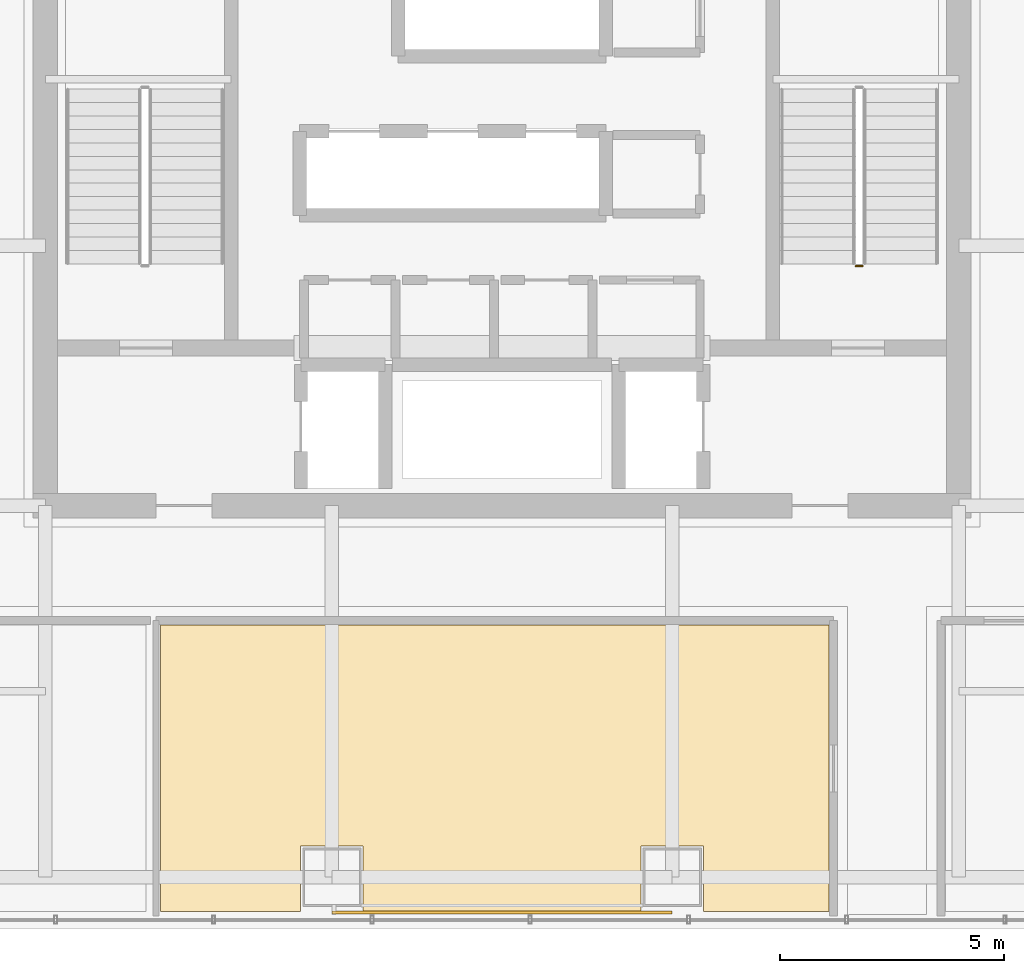
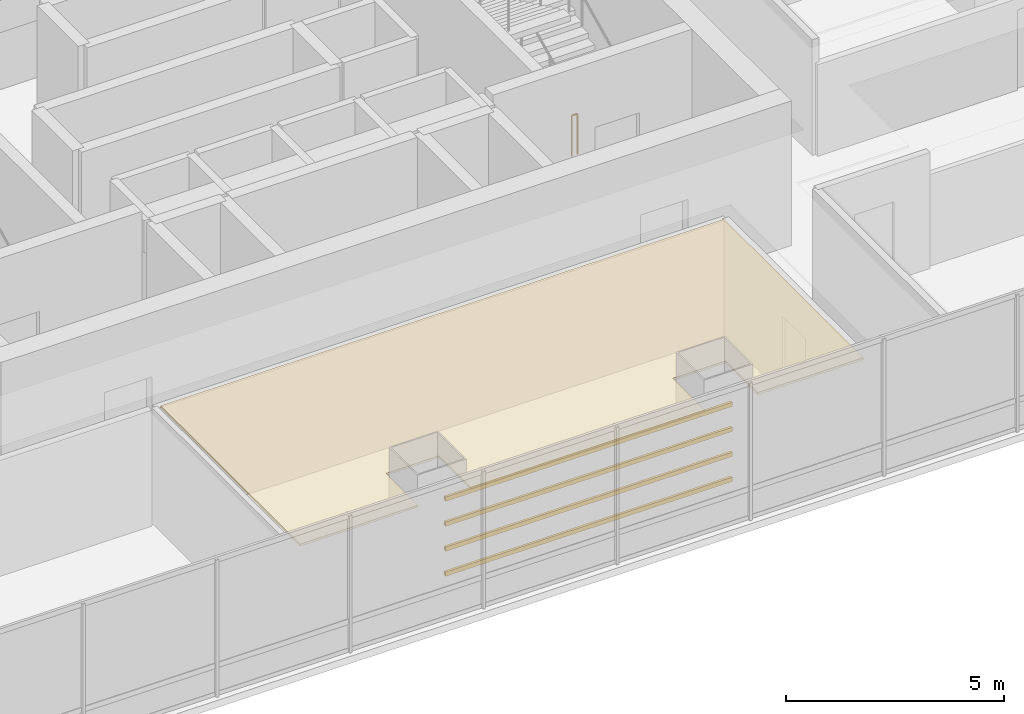
# One storey, part 38 of 42: 4 shading devices, 1 covering, 1 railing.
"""IFC4 building model written with IfcOpenShell, lengths in metres."""

from ifc_helpers import new_model, si_unit, direction, frame, origin, origin_2d, place, context, subcontext, project, spatial, polyline, hollow_rectangle, circle, outline, extrude, material, layer, layer_set, material_profile, profile_set, type_object, element, save


model = new_model("IFC4")

# Units and contexts
model_context = context("Model", 3, precision=1e-05, world=origin(), true_north=direction((0.0, 1.0)))
body_context = subcontext(model_context, "Body", "Model", "MODEL_VIEW")
ifc_project = project(units=[si_unit("LENGTHUNIT", "METRE"), si_unit("AREAUNIT", "SQUARE_METRE"), si_unit("VOLUMEUNIT", "CUBIC_METRE"), si_unit("PLANEANGLEUNIT", "RADIAN"), si_unit("MASSUNIT", "GRAM", prefix="KILO")], contexts=[model_context])

# Site, building, storey
site_placement = place(None, origin())
site = spatial("IfcSite", under=ifc_project, at=site_placement, CompositionType="ELEMENT")
building_placement = place(site_placement, origin())
building = spatial("IfcBuilding", under=site, at=building_placement, Name="Punatoya Terracotta Tower", CompositionType="ELEMENT")
storey_placement = place(building_placement, frame((0.0, 0.0, 259.5)))
storey = spatial("IfcBuildingStorey", under=building, at=storey_placement, Name="L61", CompositionType="ELEMENT", Elevation=259.5)

# Covering
ifc_material_1 = material(Name="Acoustic Mineral Fibre Ceiling")
ifc_layer = layer(ifc_material_1, 0.06005859375)
ifc_layer_set = layer_set([ifc_layer], Name="Acoustic Mineral Fibre Ceiling")
covering_type = type_object("IfcCoveringType", Name="COV-CEIL-60", PredefinedType="CEILING", material=ifc_layer_set)
covering_placement = place(storey_placement, frame((0.0, 0.0, 3.239990234375)))
element("IfcCovering", 1, at=covering_placement, inside=storey, type_object=covering_type, Name="L61 Open-Plan Client Media Salon Acoustic Ceiling", PredefinedType="CEILING", context=body_context, shape_type="SweptSolid", body=[
    extrude(outline(polyline([(-4.5, -18.27001953125), (-4.5, -16.800048828125), (-3.10009765625, -16.800048828125), (-3.10009765625, -18.27001953125), (3.10009765625, -18.27001953125), (3.10009765625, -16.800048828125), (4.5, -16.800048828125), (4.5, -18.27001953125), (7.300048828125, -18.27001953125), (7.300048828125, -11.8701171875), (-7.6259765625, -11.8701171875), (-7.6259765625, -18.27001953125), (-4.5, -18.27001953125)])), origin(), (0.0, 0.0, 1.0), 0.06005859375),
])

# Railing
ifc_material_2 = material(Name="Steel S355", Category="steel")
railing_type = type_object("IfcRailingType", Name="RLG-GRD-1150", PredefinedType="GUARDRAIL", material=ifc_material_2)
railing_placement = place(storey_placement, frame((8.050048828125, -3.85009765625, 0.0)))
element("IfcRailing", 2, at=railing_placement, inside=storey, type_object=railing_type, Name="L61 ST-2 stair guard 4", PredefinedType="GUARDRAIL", context=body_context, shape_type="SweptSolid", body=[
    extrude(circle(Radius=0.02392578125, at=origin_2d()), frame((0.0, 0.0, 1.1259765625), z_axis=(-1.0, 0.0, 0.0), x_axis=(0.0, -1.0, 0.0)), (0.0, 0.0, 1.0), 0.150146484375),
    extrude(circle(Radius=0.02099609375, at=origin_2d()), origin(), (0.0, 0.0, 1.0), 1.101806640625),
    extrude(circle(Radius=0.02099609375, at=origin_2d()), frame((-0.150146484375, 0.0, 0.0)), (0.0, 0.0, 1.0), 1.101806640625),
])

# Shading devices
ifc_material_3 = material(Name="Architectural Fired Terracotta", Category="masonry")
ifc_material_profile = material_profile(ifc_material_3, hollow_rectangle(XDim=0.06494140625, YDim=0.1201171875, WallThickness=0.014892578125, at=origin_2d()))
ifc_profile_set = profile_set([ifc_material_profile], Name="Architectural Fired Terracotta")
shading_device_type = type_object("IfcShadingDeviceType", Name="SHD-BAG-120", PredefinedType="USERDEFINED", material=ifc_profile_set)
for number, where, z_axis, x_axis, name in (
    (3, (-3.800048828125, -18.2900390625, 1.14990234375), (1.0, 0.0, 0.0), (0.0, 1.0, 0.0), "L61 Fired Terracotta Baguette Louvre BAG-L61-S-01"),
    (4, (-3.800048828125, -18.2900390625, 1.85009765625), (1.0, 0.0, 0.0), (0.0, 1.0, 0.0), "L61 Fired Terracotta Baguette Louvre BAG-L61-S-02"),
    (5, (-3.800048828125, -18.2900390625, 2.550048828125), (1.0, 0.0, 0.0), (0.0, 1.0, 0.0), "L61 Fired Terracotta Baguette Louvre BAG-L61-S-03"),
    (6, (-3.800048828125, -18.2900390625, 3.25), (1.0, 0.0, 0.0), (0.0, 1.0, 0.0), "L61 Fired Terracotta Baguette Louvre BAG-L61-S-04"),
):
    element("IfcShadingDevice", number, at=place(storey_placement, frame(where, z_axis=z_axis, x_axis=x_axis)), inside=storey, type_object=shading_device_type, Name=name, ObjectType="BAGUETTE", PredefinedType="USERDEFINED", context=body_context, shape_type="SweptSolid", body=[
        extrude(hollow_rectangle(XDim=0.06494140625, YDim=0.1201171875, WallThickness=0.014892578125, at=origin_2d()), origin(), (0.0, 0.0, 1.0), 7.60009765625),
    ])

save(model, "model.ifc")
